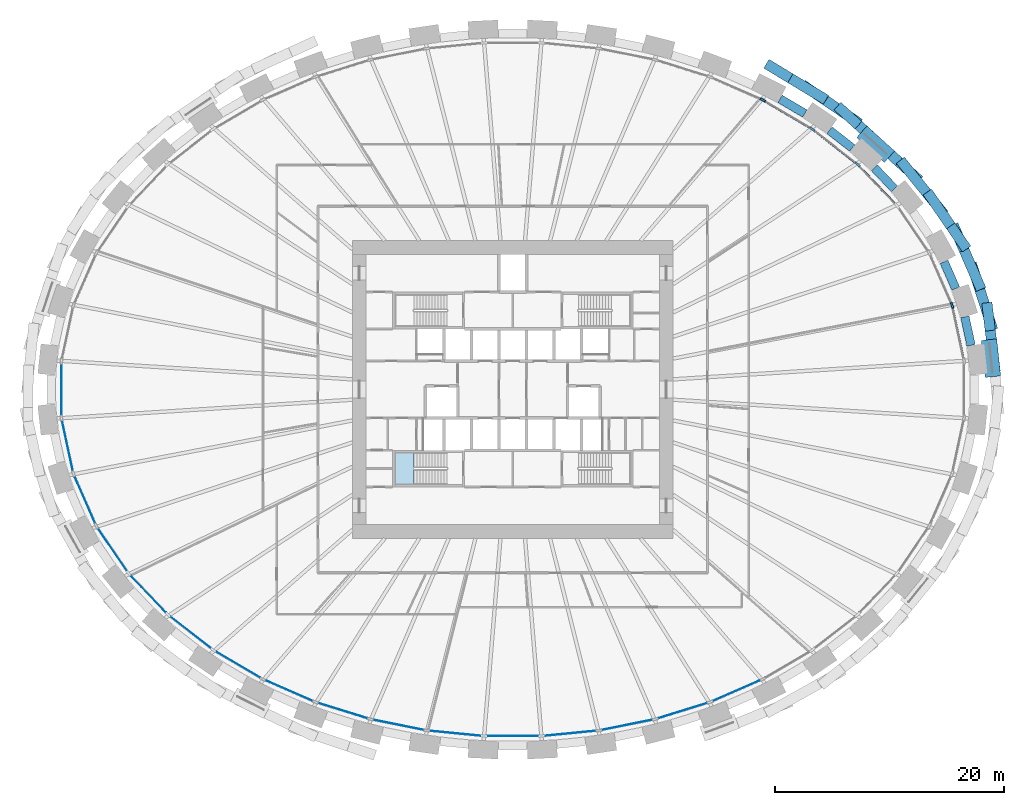
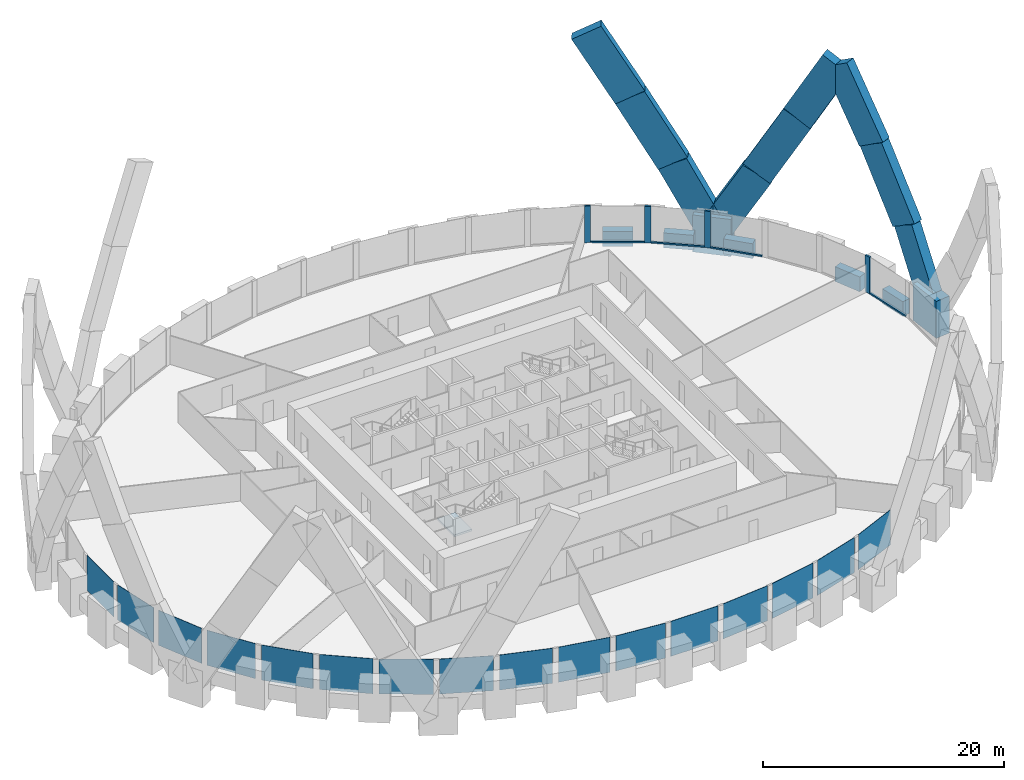
# One storey, part 5 of 12: 19 members, 16 plates, 5 beams, 1 slab, 2 elements without a shape of their own.
"""IFC4 building model written with IfcOpenShell, lengths in metres."""

from ifc_helpers import new_model, si_unit, direction, frame, origin, origin_2d, place, context, subcontext, project, spatial, polyline, rectangle, outline, extrude, source, transform, mapped, material, layer, layer_set, material_profile, profile_set, type_object, element, aggregate, save


model = new_model("IFC4")

# Units and contexts
model_context = context("Model", 3, precision=1e-05, world=origin(), true_north=direction((0.0, 1.0)))
body_context = subcontext(model_context, "Body", "Model", "MODEL_VIEW")
ifc_project = project(units=[si_unit("LENGTHUNIT", "METRE"), si_unit("AREAUNIT", "SQUARE_METRE"), si_unit("VOLUMEUNIT", "CUBIC_METRE"), si_unit("PLANEANGLEUNIT", "RADIAN"), si_unit("MASSUNIT", "GRAM", prefix="KILO")], contexts=[model_context])

# Site, building, storey
site_placement = place(None, origin())
site = spatial("IfcSite", under=ifc_project, at=site_placement, CompositionType="ELEMENT")
building_placement = place(site_placement, origin())
building = spatial("IfcBuilding", under=site, at=building_placement, Name="Embergate Tower", CompositionType="ELEMENT")
storey_placement = place(building_placement, frame((0.0, 0.0, 65.89990234375)))
storey = spatial("IfcBuildingStorey", under=building, at=storey_placement, Name="L12", CompositionType="ELEMENT", Elevation=65.89990234375)

# Beams
ifc_material_1 = material(Name="Concrete C70", Category="concrete")
ifc_material_profile_1 = material_profile(ifc_material_1, rectangle(XDim=0.75, YDim=1.5, at=origin_2d()), Name="RC 750x1500")
ifc_profile_set_1 = profile_set([ifc_material_profile_1], Name="Concrete C70")
beam_type = type_object("IfcBeamType", Name="Spandrel beam RC 750x1500 C70", PredefinedType="BEAM", material=ifc_profile_set_1)
shared_shape_1 = source(origin(), body_context, "Body", "SweptSolid", [
    extrude(rectangle(XDim=0.75, YDim=1.5, at=origin_2d()), origin(), (0.0, 0.0, 1.0), 2.5439453125),
])
beam_1_placement = place(storey_placement, frame((40.0009765625, 3.85791015625, 0.0), z_axis=(-0.210269633901, 0.977643432474, 0.0), x_axis=(-0.977643432474, -0.210269633901, 0.0)))
element("IfcBeam", 1, at=beam_1_placement, inside=storey, type_object=beam_type, Name="SPN-L12-00", PredefinedType="BEAM", context=body_context, shape_type="MappedRepresentation", body=[
    mapped(shared_shape_1, transform((0.0, 0.0, 0.0))),
])
shared_shape_2 = source(origin(), body_context, "Body", "SweptSolid", [
    extrude(rectangle(XDim=0.75, YDim=1.5, at=origin_2d()), origin(), (0.0, 0.0, 1.0), 2.540771484375),
])
beam_2_placement = place(storey_placement, frame((38.666015625, 8.819091796875, 0.0), z_axis=(-0.401479097778, 0.915868185956, 0.0), x_axis=(-0.915868185956, -0.401479097778, 0.0)))
element("IfcBeam", 2, at=beam_2_placement, inside=storey, type_object=beam_type, Name="SPN-L12-01", PredefinedType="BEAM", context=body_context, shape_type="MappedRepresentation", body=[
    mapped(shared_shape_2, transform((0.0, 0.0, 0.0))),
])
shared_shape_3 = source(origin(), body_context, "Body", "SweptSolid", [
    extrude(rectangle(XDim=0.75, YDim=1.5, at=origin_2d()), origin(), (0.0, 0.0, 1.0), 2.525146484375),
])
beam_3_placement = place(storey_placement, frame((33.31298828125, 17.52490234375, 0.0), z_axis=(-0.689836216716, 0.723965464719, 0.0), x_axis=(-0.723965464719, -0.689836216716, 0.0)))
element("IfcBeam", 3, at=beam_3_placement, inside=storey, type_object=beam_type, Name="SPN-L12-03", PredefinedType="BEAM", context=body_context, shape_type="MappedRepresentation", body=[
    mapped(shared_shape_3, transform((0.0, 0.0, 0.0))),
])
shared_shape_4 = source(origin(), body_context, "Body", "SweptSolid", [
    extrude(rectangle(XDim=0.75, YDim=1.5, at=origin_2d()), origin(), (0.0, 0.0, 1.0), 2.51708984375),
])
beam_4_placement = place(storey_placement, frame((29.6298828125, 21.0830078125, 0.0), z_axis=(-0.788186103863, 0.615436971328, 0.0), x_axis=(-0.615436971328, -0.788186103863, 0.0)))
element("IfcBeam", 4, at=beam_4_placement, inside=storey, type_object=beam_type, Name="SPN-L12-04", PredefinedType="BEAM", context=body_context, shape_type="MappedRepresentation", body=[
    mapped(shared_shape_4, transform((0.0, 0.0, 0.0))),
])
shared_shape_5 = source(origin(), body_context, "Body", "SweptSolid", [
    extrude(rectangle(XDim=0.75, YDim=1.5, at=origin_2d()), origin(), (0.0, 0.0, 1.0), 2.512451171875),
])
beam_5_placement = place(storey_placement, frame((25.49609375, 24.093994140625, 0.0), z_axis=(-0.862138987282, 0.506671852986, 0.0), x_axis=(-0.506671852986, -0.862138987282, 0.0)))
element("IfcBeam", 5, at=beam_5_placement, inside=storey, type_object=beam_type, Name="SPN-L12-05", PredefinedType="BEAM", context=body_context, shape_type="MappedRepresentation", body=[
    mapped(shared_shape_5, transform((0.0, 0.0, 0.0))),
])

# Members
ifc_material_profile_2 = material_profile(ifc_material_1, rectangle(XDim=1.35009765625, YDim=3.25, at=origin_2d()), Name="RC 1350x3250")
ifc_profile_set_2 = profile_set([ifc_material_profile_2], Name="Concrete C70")
member_type_1 = type_object("IfcMemberType", Name="Lattice node block RC 1350x3250", PredefinedType="POST", material=ifc_profile_set_2)
shared_shape_6 = source(origin(), body_context, "Body", "SweptSolid", [
    extrude(rectangle(XDim=1.35009765625, YDim=3.25, at=origin_2d()), origin(), (0.0, 0.0, 1.0), 3.75),
])
for number, where, z_axis, x_axis, name in (
    (6, (41.7451171875, 2.738037109375, -1.875), (0.0, 0.0, 1.0), (0.99428589498, 0.106749983816, 0.0), "NOD-L12-00"),
    (7, (31.674072265625, 21.409912109375, -1.875), (0.0, 0.0, 1.0), (0.669221393633, 0.743063070206, 0.0), "NOD-L12-04"),
):
    element("IfcMember", number, at=place(storey_placement, frame(where, z_axis=z_axis, x_axis=x_axis)), inside=storey, type_object=member_type_1, Name=name, PredefinedType="POST", context=body_context, shape_type="MappedRepresentation", body=[
        mapped(shared_shape_6, transform((0.0, 0.0, 0.0))),
    ])
ifc_material_profile_3 = material_profile(ifc_material_1, rectangle(XDim=0.89990234375, YDim=2.800048828125, at=origin_2d()), Name="RC 900x2800")
ifc_profile_set_3 = profile_set([ifc_material_profile_3], Name="Concrete C70")
member_type_2 = type_object("IfcMemberType", Name="Lattice diagonal terracotta-faced RC 900x2800", PredefinedType="BRACE", material=ifc_profile_set_3)
shared_shape_7 = source(origin(), body_context, "Body", "SweptSolid", [
    extrude(rectangle(XDim=0.89990234375, YDim=2.800048828125, at=origin_2d()), origin(), (0.0, 0.0, 1.0), 7.4423828125),
])
member_1_placement = place(storey_placement, frame((41.968994140625, 2.761962890625, 0.0), z_axis=(-0.058720090744, 0.483473015301, 0.873387539651), x_axis=(-0.992704982232, -0.120568728335, 0.0)))
element("IfcMember", 8, at=member_1_placement, inside=storey, type_object=member_type_2, Name="BRC-L12-00-02-S00", PredefinedType="BRACE", context=body_context, shape_type="MappedRepresentation", body=[
    mapped(shared_shape_7, transform((0.0, 0.0, 0.0))),
])
shared_shape_8 = source(origin(), body_context, "Body", "SweptSolid", [
    extrude(rectangle(XDim=0.89990234375, YDim=2.800048828125, at=origin_2d()), origin(), (0.0, 0.0, 1.0), 7.468505859375),
])
member_2_placement = place(storey_placement, frame((41.531982421875, 6.360107421875, 6.5), z_axis=(-0.151448665847, 0.468631140424, 0.870314975074), x_axis=(-0.951543952558, -0.307512774289, 0.0)))
element("IfcMember", 9, at=member_2_placement, inside=storey, type_object=member_type_2, Name="BRC-L12-00-02-S01", PredefinedType="BRACE", context=body_context, shape_type="MappedRepresentation", body=[
    mapped(shared_shape_8, transform((0.0, 0.0, 0.0))),
])
shared_shape_9 = source(origin(), body_context, "Body", "SweptSolid", [
    extrude(rectangle(XDim=0.89990234375, YDim=2.800048828125, at=origin_2d()), origin(), (0.0, 0.0, 1.0), 7.489013671875),
])
member_3_placement = place(storey_placement, frame((40.40087890625, 9.860107421875, 13.0), z_axis=(-0.197196786949, 0.455844382859, 0.867939701726), x_axis=(-0.917802094054, -0.397038179713, 0.0)))
element("IfcMember", 10, at=member_3_placement, inside=storey, type_object=member_type_2, Name="BRC-L12-00-02-S02", PredefinedType="BRACE", context=body_context, shape_type="MappedRepresentation", body=[
    mapped(shared_shape_9, transform((0.0, 0.0, 0.0))),
])
shared_shape_10 = source(origin(), body_context, "Body", "SweptSolid", [
    extrude(rectangle(XDim=0.89990234375, YDim=2.800048828125, at=origin_2d()), origin(), (0.0, 0.0, 1.0), 7.504150390625),
])
member_4_placement = place(storey_placement, frame((31.824951171875, 21.576904296875, 0.0), z_axis=(0.370206007716, -0.335654748362, 0.866189010409), x_axis=(0.671690321109, 0.7408320407, 0.0)))
element("IfcMember", 11, at=member_4_placement, inside=storey, type_object=member_type_2, Name="BRC-L12-04-02-S00", PredefinedType="BRACE", context=body_context, shape_type="MappedRepresentation", body=[
    mapped(shared_shape_10, transform((0.0, 0.0, 0.0))),
])
shared_shape_11 = source(origin(), body_context, "Body", "SweptSolid", [
    extrude(rectangle(XDim=0.89990234375, YDim=2.800048828125, at=origin_2d()), origin(), (0.0, 0.0, 1.0), 7.445556640625),
])
member_5_placement = place(storey_placement, frame((34.60302734375, 19.05810546875, 6.5), z_axis=(0.306362416394, -0.379452625764, 0.873016480155), x_axis=(0.778059988779, 0.628189982299, 0.0)))
element("IfcMember", 12, at=member_5_placement, inside=storey, type_object=member_type_2, Name="BRC-L12-04-02-S01", PredefinedType="BRACE", context=body_context, shape_type="MappedRepresentation", body=[
    mapped(shared_shape_11, transform((0.0, 0.0, 0.0))),
])
shared_shape_12 = source(origin(), body_context, "Body", "SweptSolid", [
    extrude(rectangle(XDim=0.89990234375, YDim=2.800048828125, at=origin_2d()), origin(), (0.0, 0.0, 1.0), 7.427490234375),
])
member_6_placement = place(storey_placement, frame((36.884033203125, 16.23291015625, 13.0), z_axis=(0.274661273988, -0.39838375308, 0.875129458911), x_axis=(0.823295977431, 0.567612309192, 0.0)))
element("IfcMember", 13, at=member_6_placement, inside=storey, type_object=member_type_2, Name="BRC-L12-04-02-S02", PredefinedType="BRACE", context=body_context, shape_type="MappedRepresentation", body=[
    mapped(shared_shape_12, transform((0.0, 0.0, 0.0))),
])
shared_shape_13 = source(origin(), body_context, "Body", "SweptSolid", [
    extrude(rectangle(XDim=0.89990234375, YDim=2.800048828125, at=origin_2d()), origin(), (0.0, 0.0, 1.0), 7.365966796875),
])
member_7_placement = place(storey_placement, frame((31.824951171875, 21.576904296875, 0.0), z_axis=(-0.348212857874, 0.316328147301, 0.882430908817), x_axis=(-0.67240623926, -0.740182308222, 0.0)))
element("IfcMember", 14, at=member_7_placement, inside=storey, type_object=member_type_2, Name="BRC-L12-04-06-S00", PredefinedType="BRACE", context=body_context, shape_type="MappedRepresentation", body=[
    mapped(shared_shape_13, transform((0.0, 0.0, 0.0))),
])
shared_shape_14 = source(origin(), body_context, "Body", "SweptSolid", [
    extrude(rectangle(XDim=0.89990234375, YDim=2.800048828125, at=origin_2d()), origin(), (0.0, 0.0, 1.0), 7.42333984375),
])
member_8_placement = place(storey_placement, frame((29.260009765625, 23.906982421875, 6.5), z_axis=(-0.399425988527, 0.271589939337, 0.875612805149), x_axis=(-0.562282085072, -0.826945498087, 0.0)))
element("IfcMember", 15, at=member_8_placement, inside=storey, type_object=member_type_2, Name="BRC-L12-04-06-S01", PredefinedType="BRACE", context=body_context, shape_type="MappedRepresentation", body=[
    mapped(shared_shape_14, transform((0.0, 0.0, 0.0))),
])
shared_shape_15 = source(origin(), body_context, "Body", "SweptSolid", [
    extrude(rectangle(XDim=0.89990234375, YDim=2.800048828125, at=origin_2d()), origin(), (0.0, 0.0, 1.0), 7.44580078125),
])
member_9_placement = place(storey_placement, frame((26.294921875, 25.923095703125, 13.0), z_axis=(-0.417406509405, 0.252345679213, 0.872979647007), x_axis=(-0.517359807361, -0.855767976573, 0.0)))
element("IfcMember", 16, at=member_9_placement, inside=storey, type_object=member_type_2, Name="BRC-L12-04-06-S02", PredefinedType="BRACE", context=body_context, shape_type="MappedRepresentation", body=[
    mapped(shared_shape_15, transform((0.0, 0.0, 0.0))),
])

# Curtain wall, members, plates
ifc_material_2 = material(Name="Aluminium and glass", Category="aluminium")
curtain_wall_type = type_object("IfcCurtainWallType", Name="Recessed office glazing", PredefinedType="NOTDEFINED", material=ifc_material_2)
curtain_wall_placement = place(storey_placement, origin())
curtain_wall = element("IfcCurtainWall", 17, at=curtain_wall_placement, inside=storey, type_object=curtain_wall_type, Name="Recessed office glazing ring", ObjectType="RECESSED OFFICE GLAZING", PredefinedType="USERDEFINED")
ifc_material_3 = material(Name="Aluminium, thermally broken", Category="aluminium")
ifc_material_profile_4 = material_profile(ifc_material_3, rectangle(XDim=0.179931640625, YDim=0.52001953125, at=origin_2d()), Name="AL 520x180")
ifc_profile_set_4 = profile_set([ifc_material_profile_4], Name="Aluminium, thermally broken")
member_type_3 = type_object("IfcMemberType", Name="Office mullion", PredefinedType="MULLION", material=ifc_profile_set_4)
shared_shape_16 = source(origin(), body_context, "Body", "SweptSolid", [
    extrude(rectangle(XDim=0.179931640625, YDim=0.52001953125, at=origin_2d()), origin(), (0.0, 0.0, 1.0), 3.7001953125),
])
member_10_placement = place(storey_placement, frame((38.347412109375, 7.347900390625, 0.0), z_axis=(0.0, 0.0, 1.0), x_axis=(-0.951502093582, -0.307642269381, 0.0)))
member_10 = element("IfcMember", 18, at=member_10_placement, type_object=member_type_3, Name="CW mullion 2", PredefinedType="MULLION", context=body_context, shape_type="MappedRepresentation", body=[
    mapped(shared_shape_16, transform((0.0, 0.0, 0.0))),
])
member_11_placement = place(storey_placement, frame((30.09130859375, 19.65283203125, 0.0), z_axis=(0.0, 0.0, 1.0), x_axis=(-0.671239471147, -0.741240563093, 0.0)))
member_11 = element("IfcMember", 19, at=member_11_placement, type_object=member_type_3, Name="CW mullion 5", PredefinedType="MULLION", context=body_context, shape_type="MappedRepresentation", body=[
    mapped(shared_shape_16, transform((0.0, 0.0, 0.0))),
])
member_12_placement = place(storey_placement, frame((26.14501953125, 22.73291015625, 0.0), z_axis=(0.0, 0.0, 1.0), x_axis=(-0.562229165438, -0.826981478348, 0.0)))
member_12 = element("IfcMember", 20, at=member_12_placement, type_object=member_type_3, Name="CW mullion 6", PredefinedType="MULLION", context=body_context, shape_type="MappedRepresentation", body=[
    mapped(shared_shape_16, transform((0.0, 0.0, 0.0))),
])
member_13_placement = place(storey_placement, frame((21.824462890625, 25.273193359375, 0.0), z_axis=(0.0, 0.0, 1.0), x_axis=(-0.454520708319, -0.890736170653, 0.0)))
member_13 = element("IfcMember", 21, at=member_13_placement, type_object=member_type_3, Name="CW mullion 7", PredefinedType="MULLION", context=body_context, shape_type="MappedRepresentation", body=[
    mapped(shared_shape_16, transform((0.0, 0.0, 0.0))),
])
ifc_material_profile_5 = material_profile(ifc_material_3, rectangle(XDim=0.179931640625, YDim=0.14990234375, at=origin_2d()), Name="AL 150x180")
ifc_profile_set_5 = profile_set([ifc_material_profile_5], Name="Aluminium, thermally broken")
member_type_4 = type_object("IfcMemberType", Name="Office sill transom", PredefinedType="USERDEFINED", material=ifc_profile_set_5)
shared_shape_17 = source(origin(), body_context, "Body", "SweptSolid", [
    extrude(rectangle(XDim=0.179931640625, YDim=0.14990234375, at=origin_2d()), origin(), (0.0, 0.0, 1.0), 4.45361328125),
])
member_14_placement = place(storey_placement, frame((39.339111328125, 2.73974609375, 0.0751953125), z_axis=(-0.210390045313, 0.977617526865, 0.0), x_axis=(-0.977617526865, -0.210390045313, 0.0)))
member_14 = element("IfcMember", 22, at=member_14_placement, type_object=member_type_4, Name="CW transom 1.1", ObjectType="TRANSOM", PredefinedType="USERDEFINED", context=body_context, shape_type="MappedRepresentation", body=[
    mapped(shared_shape_17, transform((0.0, 0.0, 0.0))),
])
shared_shape_18 = source(origin(), body_context, "Body", "SweptSolid", [
    extrude(rectangle(XDim=0.179931640625, YDim=0.14990234375, at=origin_2d()), origin(), (0.0, 0.0, 1.0), 4.478515625),
])
member_15_placement = place(storey_placement, frame((33.361572265625, 16.2236328125, 0.0751953125), z_axis=(-0.690145055563, 0.723671059447, 0.0), x_axis=(-0.723671059447, -0.690145055563, 0.0)))
member_15 = element("IfcMember", 23, at=member_15_placement, type_object=member_type_4, Name="CW transom 4.1", ObjectType="TRANSOM", PredefinedType="USERDEFINED", context=body_context, shape_type="MappedRepresentation", body=[
    mapped(shared_shape_18, transform((0.0, 0.0, 0.0))),
])
shared_shape_19 = source(origin(), body_context, "Body", "SweptSolid", [
    extrude(rectangle(XDim=0.179931640625, YDim=0.14990234375, at=origin_2d()), origin(), (0.0, 0.0, 1.0), 4.486083984375),
])
member_16_placement = place(storey_placement, frame((29.886474609375, 19.812744140625, 0.0751953125), z_axis=(-0.78829904423, 0.615292301972, 0.0), x_axis=(-0.615292301972, -0.78829904423, 0.0)))
member_16 = element("IfcMember", 24, at=member_16_placement, type_object=member_type_4, Name="CW transom 5.1", ObjectType="TRANSOM", PredefinedType="USERDEFINED", context=body_context, shape_type="MappedRepresentation", body=[
    mapped(shared_shape_19, transform((0.0, 0.0, 0.0))),
])
shared_shape_20 = source(origin(), body_context, "Body", "SweptSolid", [
    extrude(rectangle(XDim=0.179931640625, YDim=0.14990234375, at=origin_2d()), origin(), (0.0, 0.0, 1.0), 4.491943359375),
])
member_17_placement = place(storey_placement, frame((25.9208984375, 22.86474609375, 0.0751953125), z_axis=(-0.8620529522, 0.506818219486, 0.0), x_axis=(-0.506818219486, -0.8620529522, 0.0)))
member_17 = element("IfcMember", 25, at=member_17_placement, type_object=member_type_4, Name="CW transom 6.1", ObjectType="TRANSOM", PredefinedType="USERDEFINED", context=body_context, shape_type="MappedRepresentation", body=[
    mapped(shared_shape_20, transform((0.0, 0.0, 0.0))),
])
ifc_material_4 = material(Name="Triple glazing, low-emissivity coating", Category="glass")
ifc_layer_1 = layer(ifc_material_4, 0.035888671875)
ifc_layer_set_1 = layer_set([ifc_layer_1], Name="Triple glazing, low-emissivity coating")
plate_type = type_object("IfcPlateType", Name="Office glazing unit", PredefinedType="CURTAIN_PANEL", material=ifc_layer_set_1)
shared_shape_21 = source(origin(), body_context, "Body", "SweptSolid", [
    extrude(rectangle(XDim=4.453857421875, YDim=0.035888671875, at=origin_2d()), origin(), (0.0, 0.0, 1.0), 3.550048828125),
])
plate_1_placement = place(storey_placement, frame((-38.87060546875, -4.916748046875, 0.14990234375), z_axis=(0.0, 0.0, 1.0), x_axis=(0.210391566126, -0.977617199574, 0.0)))
plate_1 = element("IfcPlate", 26, at=plate_1_placement, type_object=plate_type, Name="CW panel 23.1", PredefinedType="CURTAIN_PANEL", context=body_context, shape_type="MappedRepresentation", body=[
    mapped(shared_shape_21, transform((0.0, 0.0, 0.0))),
])
shared_shape_22 = source(origin(), body_context, "Body", "SweptSolid", [
    extrude(rectangle(XDim=4.460693359375, YDim=0.035888671875, at=origin_2d()), origin(), (0.0, 0.0, 1.0), 3.550048828125),
])
plate_2_placement = place(storey_placement, frame((-37.34716796875, -9.628662109375, 0.14990234375), z_axis=(0.0, 0.0, 1.0), x_axis=(0.401644109346, -0.915795833921, 0.0)))
plate_2 = element("IfcPlate", 27, at=plate_2_placement, type_object=plate_type, Name="CW panel 24.1", PredefinedType="CURTAIN_PANEL", context=body_context, shape_type="MappedRepresentation", body=[
    mapped(shared_shape_22, transform((0.0, 0.0, 0.0))),
])
shared_shape_23 = source(origin(), body_context, "Body", "SweptSolid", [
    extrude(rectangle(XDim=4.4697265625, YDim=0.035888671875, at=origin_2d()), origin(), (0.0, 0.0, 1.0), 3.550048828125),
])
plate_3_placement = place(storey_placement, frame((-34.94384765625, -13.972412109375, 0.14990234375), z_axis=(0.0, 0.0, 1.0), x_axis=(0.562331639324, -0.826911801473, 0.0)))
plate_3 = element("IfcPlate", 28, at=plate_3_placement, type_object=plate_type, Name="CW panel 25.1", PredefinedType="CURTAIN_PANEL", context=body_context, shape_type="MappedRepresentation", body=[
    mapped(shared_shape_23, transform((0.0, 0.0, 0.0))),
])
shared_shape_24 = source(origin(), body_context, "Body", "SweptSolid", [
    extrude(rectangle(XDim=4.478515625, YDim=0.035888671875, at=origin_2d()), origin(), (0.0, 0.0, 1.0), 3.550048828125),
])
plate_4_placement = place(storey_placement, frame((-31.816162109375, -17.84423828125, 0.14990234375), z_axis=(0.0, 0.0, 1.0), x_axis=(0.690124942972, -0.723690239735, 0.0)))
plate_4 = element("IfcPlate", 29, at=plate_4_placement, type_object=plate_type, Name="CW panel 26.1", PredefinedType="CURTAIN_PANEL", context=body_context, shape_type="MappedRepresentation", body=[
    mapped(shared_shape_24, transform((0.0, 0.0, 0.0))),
])
shared_shape_25 = source(origin(), body_context, "Body", "SweptSolid", [
    extrude(rectangle(XDim=4.486083984375, YDim=0.035888671875, at=origin_2d()), origin(), (0.0, 0.0, 1.0), 3.550048828125),
])
plate_5_placement = place(storey_placement, frame((-28.1181640625, -21.19287109375, 0.14990234375), z_axis=(0.0, 0.0, 1.0), x_axis=(0.788312602312, -0.615274931259, 0.0)))
plate_5 = element("IfcPlate", 30, at=plate_5_placement, type_object=plate_type, Name="CW panel 27.1", PredefinedType="CURTAIN_PANEL", context=body_context, shape_type="MappedRepresentation", body=[
    mapped(shared_shape_25, transform((0.0, 0.0, 0.0))),
])
shared_shape_26 = source(origin(), body_context, "Body", "SweptSolid", [
    extrude(rectangle(XDim=4.491943359375, YDim=0.035888671875, at=origin_2d()), origin(), (0.0, 0.0, 1.0), 3.550048828125),
])
plate_6_placement = place(storey_placement, frame((-23.98486328125, -24.0029296875, 0.14990234375), z_axis=(0.0, 0.0, 1.0), x_axis=(0.86204786038, -0.506826880122, 0.0)))
plate_6 = element("IfcPlate", 31, at=plate_6_placement, type_object=plate_type, Name="CW panel 28.1", PredefinedType="CURTAIN_PANEL", context=body_context, shape_type="MappedRepresentation", body=[
    mapped(shared_shape_26, transform((0.0, 0.0, 0.0))),
])
shared_shape_27 = source(origin(), body_context, "Body", "SweptSolid", [
    extrude(rectangle(XDim=4.49658203125, YDim=0.035888671875, at=origin_2d()), origin(), (0.0, 0.0, 1.0), 3.550048828125),
])
plate_7_placement = place(storey_placement, frame((-19.5263671875, -26.278076171875, 0.14990234375), z_axis=(0.0, 0.0, 1.0), x_axis=(0.916232715476, -0.400646491426, 0.0)))
plate_7 = element("IfcPlate", 32, at=plate_7_placement, type_object=plate_type, Name="CW panel 29.1", PredefinedType="CURTAIN_PANEL", context=body_context, shape_type="MappedRepresentation", body=[
    mapped(shared_shape_27, transform((0.0, 0.0, 0.0))),
])
plate_8_placement = place(storey_placement, frame((19.5263671875, -26.278076171875, 0.14990234375), z_axis=(0.0, 0.0, 1.0), x_axis=(0.916232715476, 0.400646491426, 0.0)))
plate_8 = element("IfcPlate", 33, at=plate_8_placement, type_object=plate_type, Name="CW panel 37.1", PredefinedType="CURTAIN_PANEL", context=body_context, shape_type="MappedRepresentation", body=[
    mapped(shared_shape_27, transform((0.0, 0.0, 0.0))),
])
shared_shape_28 = source(origin(), body_context, "Body", "SweptSolid", [
    extrude(rectangle(XDim=4.5, YDim=0.035888671875, at=origin_2d()), origin(), (0.0, 0.0, 1.0), 3.550048828125),
])
plate_9_placement = place(storey_placement, frame((-14.831787109375, -28.029296875, 0.14990234375), z_axis=(0.0, 0.0, 1.0), x_axis=(0.954770141339, -0.297344879236, 0.0)))
plate_9 = element("IfcPlate", 34, at=plate_9_placement, type_object=plate_type, Name="CW panel 30.1", PredefinedType="CURTAIN_PANEL", context=body_context, shape_type="MappedRepresentation", body=[
    mapped(shared_shape_28, transform((0.0, 0.0, 0.0))),
])
plate_10_placement = place(storey_placement, frame((14.831787109375, -28.029296875, 0.14990234375), z_axis=(0.0, 0.0, 1.0), x_axis=(0.954770141339, 0.297344879236, 0.0)))
plate_10 = element("IfcPlate", 35, at=plate_10_placement, type_object=plate_type, Name="CW panel 36.1", PredefinedType="CURTAIN_PANEL", context=body_context, shape_type="MappedRepresentation", body=[
    mapped(shared_shape_28, transform((0.0, 0.0, 0.0))),
])
shared_shape_29 = source(origin(), body_context, "Body", "SweptSolid", [
    extrude(rectangle(XDim=4.502197265625, YDim=0.035888671875, at=origin_2d()), origin(), (0.0, 0.0, 1.0), 3.550048828125),
])
plate_11_placement = place(storey_placement, frame((-9.97314453125, -29.269287109375, 0.14990234375), z_axis=(0.0, 0.0, 1.0), x_axis=(0.980474877795, -0.196644384646, 0.0)))
plate_11 = element("IfcPlate", 36, at=plate_11_placement, type_object=plate_type, Name="CW panel 31.1", PredefinedType="CURTAIN_PANEL", context=body_context, shape_type="MappedRepresentation", body=[
    mapped(shared_shape_29, transform((0.0, 0.0, 0.0))),
])
plate_12_placement = place(storey_placement, frame((9.97314453125, -29.269287109375, 0.14990234375), z_axis=(0.0, 0.0, 1.0), x_axis=(0.980474877795, 0.196644384646, 0.0)))
plate_12 = element("IfcPlate", 37, at=plate_12_placement, type_object=plate_type, Name="CW panel 35.1", PredefinedType="CURTAIN_PANEL", context=body_context, shape_type="MappedRepresentation", body=[
    mapped(shared_shape_29, transform((0.0, 0.0, 0.0))),
])
shared_shape_30 = source(origin(), body_context, "Body", "SweptSolid", [
    extrude(rectangle(XDim=4.50341796875, YDim=0.035888671875, at=origin_2d()), origin(), (0.0, 0.0, 1.0), 3.550048828125),
])
plate_13_placement = place(storey_placement, frame((-5.01171875, -30.009033203125, 0.14990234375), z_axis=(0.0, 0.0, 1.0), x_axis=(0.995203014042, -0.097831287645, 0.0)))
plate_13 = element("IfcPlate", 38, at=plate_13_placement, type_object=plate_type, Name="CW panel 32.1", PredefinedType="CURTAIN_PANEL", context=body_context, shape_type="MappedRepresentation", body=[
    mapped(shared_shape_30, transform((0.0, 0.0, 0.0))),
])
plate_14_placement = place(storey_placement, frame((5.01171875, -30.009033203125, 0.14990234375), z_axis=(0.0, 0.0, 1.0), x_axis=(0.995203014042, 0.097831287645, 0.0)))
plate_14 = element("IfcPlate", 39, at=plate_14_placement, type_object=plate_type, Name="CW panel 34.1", PredefinedType="CURTAIN_PANEL", context=body_context, shape_type="MappedRepresentation", body=[
    mapped(shared_shape_30, transform((0.0, 0.0, 0.0))),
])
shared_shape_31 = source(origin(), body_context, "Body", "SweptSolid", [
    extrude(rectangle(XDim=4.50390625, YDim=0.035888671875, at=origin_2d()), origin(), (0.0, 0.0, 1.0), 3.550048828125),
])
plate_15_placement = place(storey_placement, frame((0.0, -30.254638671875, 0.14990234375), z_axis=(0.0, 0.0, 1.0), x_axis=(1.0, 0.0, 0.0)))
plate_15 = element("IfcPlate", 40, at=plate_15_placement, type_object=plate_type, Name="CW panel 33.1", PredefinedType="CURTAIN_PANEL", context=body_context, shape_type="MappedRepresentation", body=[
    mapped(shared_shape_31, transform((0.0, 0.0, 0.0))),
])
shared_shape_32 = source(origin(), body_context, "Body", "SweptSolid", [
    extrude(rectangle(XDim=4.451171875, YDim=0.035888671875, at=origin_2d()), origin(), (0.0, 0.0, 1.0), 3.550048828125),
])
plate_16_placement = place(storey_placement, frame((-39.393798828125, 0.0, 0.14990234375), z_axis=(0.0, 0.0, 1.0), x_axis=(0.0, -1.0, 0.0)))
plate_16 = element("IfcPlate", 41, at=plate_16_placement, type_object=plate_type, Name="CW panel 22.1", PredefinedType="CURTAIN_PANEL", context=body_context, shape_type="MappedRepresentation", body=[
    mapped(shared_shape_32, transform((0.0, 0.0, 0.0))),
])
aggregate(curtain_wall, [member_10, member_11, member_12, member_13, member_14, member_15, member_16, member_17, plate_16, plate_1, plate_2, plate_3, plate_4, plate_5, plate_6, plate_7, plate_9, plate_11, plate_13, plate_15, plate_14, plate_12, plate_10, plate_8])

# Stair, slab
ifc_material_5 = material(Name="Exit stair")
stair_type = type_object("IfcStairType", Name="Exit stair", PredefinedType="HALF_TURN_STAIR", material=ifc_material_5)
stair_placement = place(storey_placement, origin())
stair = element("IfcStair", 42, at=stair_placement, inside=storey, type_object=stair_type, Name="L12 Exit stair 3", PredefinedType="HALF_TURN_STAIR")
ifc_material_6 = material(Name="Concrete C40", Category="concrete")
ifc_layer_2 = layer(ifc_material_6, 0.199951171875)
ifc_layer_set_2 = layer_set([ifc_layer_2], Name="Concrete C40")
slab_type = type_object("IfcSlabType", Name="Stair landing reinforced concrete", PredefinedType="LANDING", material=ifc_layer_set_2)
shared_shape_33 = source(origin(), body_context, "Body", "SweptSolid", [
    extrude(outline(polyline([(0.0, 0.0), (1.68994140625, 0.0), (1.68994140625, 2.800048828125), (0.0, 2.800048828125), (0.0, 0.0)])), origin(), (0.0, 0.0, 1.0), 0.2001953125),
])
slab_placement = place(storey_placement, frame((-10.300048828125, -8.300048828125, 1.75)))
slab = element("IfcSlab", 43, at=slab_placement, type_object=slab_type, Name="ST3 landing 1", PredefinedType="LANDING", context=body_context, shape_type="MappedRepresentation", body=[
    mapped(shared_shape_33, transform((0.0, 0.0, 0.0))),
])
aggregate(stair, [slab])

save(model, "model.ifc")
